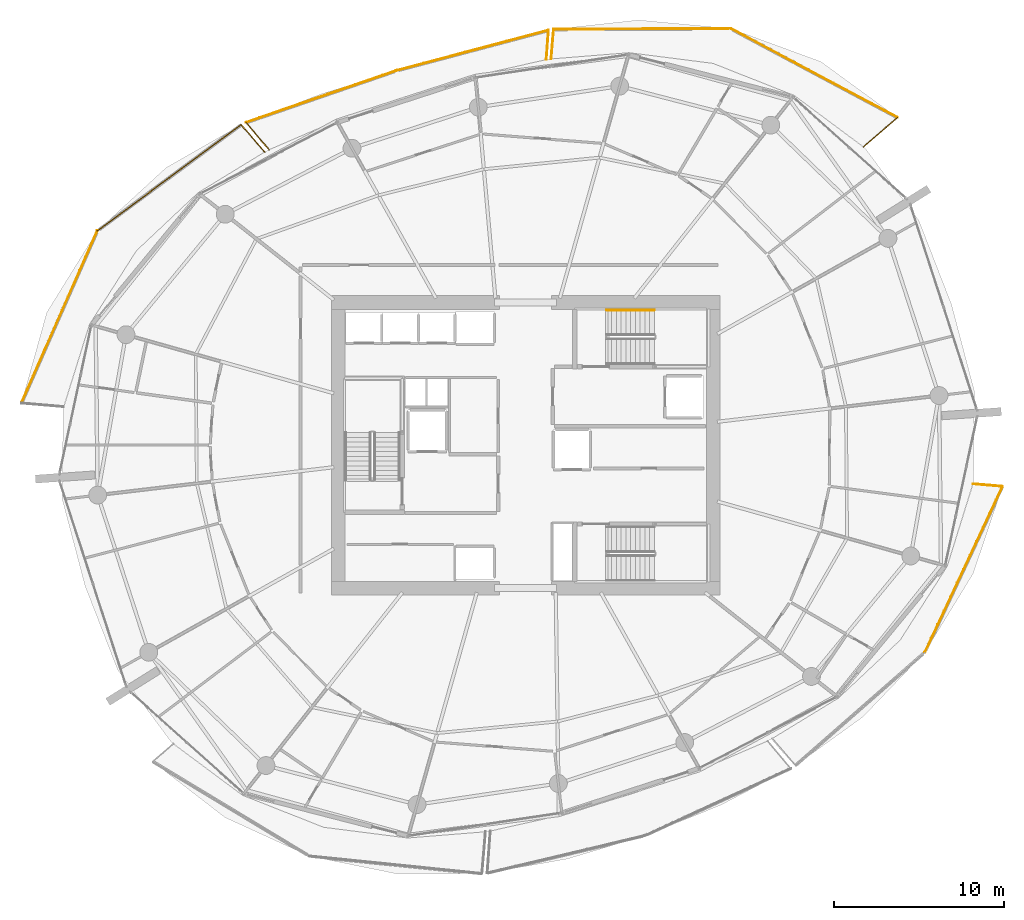
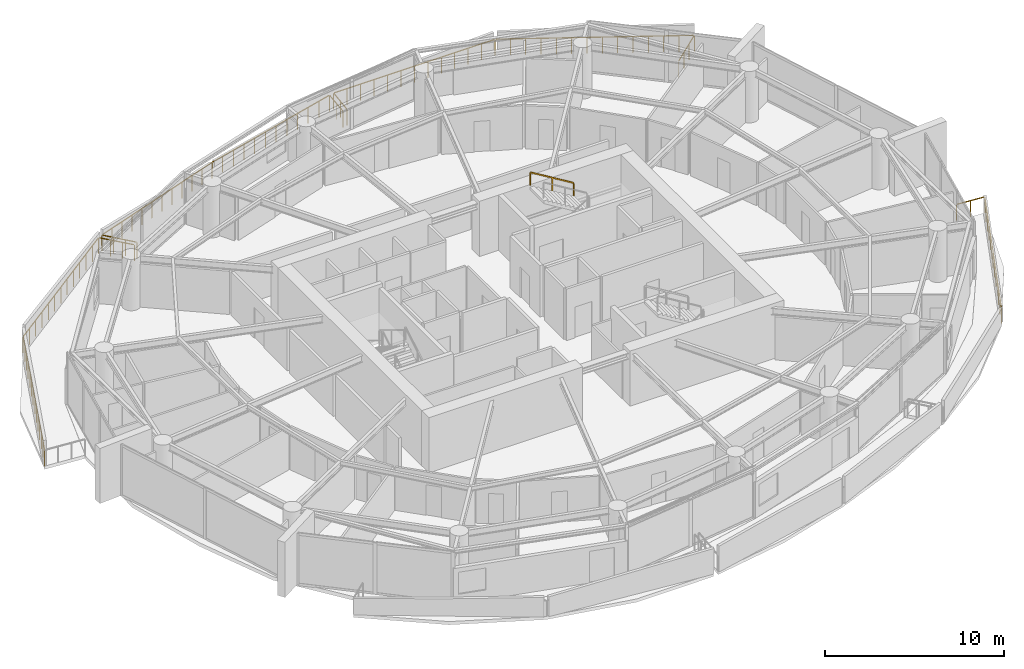
# One storey, part 20 of 20: 14 railings.
"""IFC4 building model written with IfcOpenShell, lengths in metres."""

from ifc_helpers import new_model, si_unit, direction, frame, origin, origin_2d, place, context, subcontext, project, spatial, rectangle, extrude, material, type_object, element, save


model = new_model("IFC4")

# Units and contexts
model_context = context("Model", 3, precision=1e-05, world=origin(), true_north=direction((0.0, 1.0)))
body_context = subcontext(model_context, "Body", "Model", "MODEL_VIEW")
ifc_project = project(units=[si_unit("LENGTHUNIT", "METRE"), si_unit("AREAUNIT", "SQUARE_METRE"), si_unit("VOLUMEUNIT", "CUBIC_METRE"), si_unit("PLANEANGLEUNIT", "RADIAN"), si_unit("MASSUNIT", "GRAM", prefix="KILO")], contexts=[model_context])

# Site, building, storey
site_placement = place(None, origin())
site = spatial("IfcSite", under=ifc_project, at=site_placement, CompositionType="ELEMENT")
building_placement = place(site_placement, origin())
building = spatial("IfcBuilding", under=site, at=building_placement, Name="Kazma Halo Residences", CompositionType="ELEMENT")
storey_placement = place(building_placement, frame((0.0, 0.0, 139.050048828125)))
storey = spatial("IfcBuildingStorey", under=building, at=storey_placement, Name="L34", CompositionType="ELEMENT", Elevation=139.050048828125)

# Railings
ifc_material_1 = material(Name="Aluminium AW-6063 T6 Brushed Cap Rail", Category="aluminium")
railing_type_1 = type_object("IfcRailingType", Name="RLG-BAL-CAP-1120", PredefinedType="BALUSTRADE", material=ifc_material_1)
railing_1_placement = place(storey_placement, frame((68.294677734375, 59.548583984375, 0.0)))
element("IfcRailing", 1, at=railing_1_placement, inside=storey, type_object=railing_type_1, Name="L34 NE wave balcony guard 1", PredefinedType="BALUSTRADE", context=body_context, shape_type="SweptSolid", body=[
    extrude(rectangle(XDim=0.050048828125, YDim=0.050048828125, at=origin_2d()), frame((0.0322265625, 0.02783203125, 1.09521484375), z_axis=(0.756387923345, 0.654123313618, 0.0), x_axis=(-0.654123313618, 0.756387923345, 0.0)), (0.0, 0.0, 1.0), 2.552978515625),
    extrude(rectangle(XDim=0.0400390625, YDim=0.0400390625, at=origin_2d()), origin(), (0.0, 0.0, 1.0), 1.05810546875),
    extrude(rectangle(XDim=0.0400390625, YDim=0.0400390625, at=origin_2d()), frame((0.6650390625, 0.5751953125, 0.0)), (0.0, 0.0, 1.0), 1.05810546875),
    extrude(rectangle(XDim=0.0400390625, YDim=0.0400390625, at=origin_2d()), frame((1.330322265625, 1.150390625, 0.0)), (0.0, 0.0, 1.0), 1.05810546875),
    extrude(rectangle(XDim=0.0400390625, YDim=0.0400390625, at=origin_2d()), frame((1.995361328125, 1.7255859375, 0.0)), (0.0, 0.0, 1.0), 1.05810546875),
])
railing_2_placement = place(storey_placement, frame((70.2900390625, 61.274169921875, 0.0)))
element("IfcRailing", 2, at=railing_2_placement, inside=storey, type_object=railing_type_1, Name="L34 NE wave balcony guard 2", PredefinedType="BALUSTRADE", context=body_context, shape_type="SweptSolid", body=[
    extrude(rectangle(XDim=0.050048828125, YDim=0.050048828125, at=origin_2d()), frame((-0.03759765625, 0.02001953125, 1.09521484375), z_axis=(-0.882331654064, 0.470628146457, 0.0), x_axis=(-0.470628146457, -0.882331654064, 0.0)), (0.0, 0.0, 1.0), 11.027099609375),
    extrude(rectangle(XDim=0.0400390625, YDim=0.0400390625, at=origin_2d()), origin(), (0.0, 0.0, 1.0), 1.05810546875),
    extrude(rectangle(XDim=0.0400390625, YDim=0.0400390625, at=origin_2d()), frame((-0.754150390625, 0.40234375, 0.0)), (0.0, 0.0, 1.0), 1.05810546875),
    extrude(rectangle(XDim=0.0400390625, YDim=0.0400390625, at=origin_2d()), frame((-1.50830078125, 0.8046875, 0.0)), (0.0, 0.0, 1.0), 1.05810546875),
    extrude(rectangle(XDim=0.0400390625, YDim=0.0400390625, at=origin_2d()), frame((-2.2626953125, 1.206787109375, 0.0)), (0.0, 0.0, 1.0), 1.05810546875),
    extrude(rectangle(XDim=0.0400390625, YDim=0.0400390625, at=origin_2d()), frame((-3.016845703125, 1.609130859375, 0.0)), (0.0, 0.0, 1.0), 1.05810546875),
    extrude(rectangle(XDim=0.0400390625, YDim=0.0400390625, at=origin_2d()), frame((-3.77099609375, 2.011474609375, 0.0)), (0.0, 0.0, 1.0), 1.05810546875),
    extrude(rectangle(XDim=0.0400390625, YDim=0.0400390625, at=origin_2d()), frame((-4.525146484375, 2.413818359375, 0.0)), (0.0, 0.0, 1.0), 1.05810546875),
    extrude(rectangle(XDim=0.0400390625, YDim=0.0400390625, at=origin_2d()), frame((-5.279541015625, 2.81591796875, 0.0)), (0.0, 0.0, 1.0), 1.05810546875),
    extrude(rectangle(XDim=0.0400390625, YDim=0.0400390625, at=origin_2d()), frame((-6.03369140625, 3.21826171875, 0.0)), (0.0, 0.0, 1.0), 1.05810546875),
    extrude(rectangle(XDim=0.0400390625, YDim=0.0400390625, at=origin_2d()), frame((-6.787841796875, 3.62060546875, 0.0)), (0.0, 0.0, 1.0), 1.05810546875),
    extrude(rectangle(XDim=0.0400390625, YDim=0.0400390625, at=origin_2d()), frame((-7.5419921875, 4.02294921875, 0.0)), (0.0, 0.0, 1.0), 1.05810546875),
    extrude(rectangle(XDim=0.0400390625, YDim=0.0400390625, at=origin_2d()), frame((-8.29638671875, 4.425048828125, 0.0)), (0.0, 0.0, 1.0), 1.05810546875),
    extrude(rectangle(XDim=0.0400390625, YDim=0.0400390625, at=origin_2d()), frame((-9.050537109375, 4.827392578125, 0.0)), (0.0, 0.0, 1.0), 1.05810546875),
    extrude(rectangle(XDim=0.0400390625, YDim=0.0400390625, at=origin_2d()), frame((-9.8046875, 5.229736328125, 0.0)), (0.0, 0.0, 1.0), 1.05810546875),
])
railing_3_placement = place(storey_placement, frame((60.4853515625, 66.50390625, 0.0)))
element("IfcRailing", 3, at=railing_3_placement, inside=storey, type_object=railing_type_1, Name="L34 NE wave balcony guard 3", PredefinedType="BALUSTRADE", context=body_context, shape_type="SweptSolid", body=[
    extrude(rectangle(XDim=0.050048828125, YDim=0.050048828125, at=origin_2d()), frame((-0.04248046875, -0.000244140625, 1.09521484375), z_axis=(-0.999991958014, -0.004010474807, 0.0), x_axis=(0.004010474807, -0.999991958014, 0.0)), (0.0, 0.0, 1.0), 10.32470703125),
    extrude(rectangle(XDim=0.0400390625, YDim=0.0400390625, at=origin_2d()), origin(), (0.0, 0.0, 1.0), 1.05810546875),
    extrude(rectangle(XDim=0.0400390625, YDim=0.0400390625, at=origin_2d()), frame((-0.867431640625, -0.00341796875, 0.0)), (0.0, 0.0, 1.0), 1.05810546875),
    extrude(rectangle(XDim=0.0400390625, YDim=0.0400390625, at=origin_2d()), frame((-1.73486328125, -0.0068359375, 0.0)), (0.0, 0.0, 1.0), 1.05810546875),
    extrude(rectangle(XDim=0.0400390625, YDim=0.0400390625, at=origin_2d()), frame((-2.6025390625, -0.010498046875, 0.0)), (0.0, 0.0, 1.0), 1.05810546875),
    extrude(rectangle(XDim=0.0400390625, YDim=0.0400390625, at=origin_2d()), frame((-3.469970703125, -0.013916015625, 0.0)), (0.0, 0.0, 1.0), 1.05810546875),
    extrude(rectangle(XDim=0.0400390625, YDim=0.0400390625, at=origin_2d()), frame((-4.33740234375, -0.017333984375, 0.0)), (0.0, 0.0, 1.0), 1.05810546875),
    extrude(rectangle(XDim=0.0400390625, YDim=0.0400390625, at=origin_2d()), frame((-5.204833984375, -0.02099609375, 0.0)), (0.0, 0.0, 1.0), 1.05810546875),
    extrude(rectangle(XDim=0.0400390625, YDim=0.0400390625, at=origin_2d()), frame((-6.072265625, -0.0244140625, 0.0)), (0.0, 0.0, 1.0), 1.05810546875),
    extrude(rectangle(XDim=0.0400390625, YDim=0.0400390625, at=origin_2d()), frame((-6.939697265625, -0.02783203125, 0.0)), (0.0, 0.0, 1.0), 1.05810546875),
    extrude(rectangle(XDim=0.0400390625, YDim=0.0400390625, at=origin_2d()), frame((-7.80712890625, -0.03125, 0.0)), (0.0, 0.0, 1.0), 1.05810546875),
    extrude(rectangle(XDim=0.0400390625, YDim=0.0400390625, at=origin_2d()), frame((-8.6748046875, -0.03466796875, 0.0)), (0.0, 0.0, 1.0), 1.05810546875),
    extrude(rectangle(XDim=0.0400390625, YDim=0.0400390625, at=origin_2d()), frame((-9.542236328125, -0.038330078125, 0.0)), (0.0, 0.0, 1.0), 1.05810546875),
    extrude(rectangle(XDim=0.0400390625, YDim=0.0400390625, at=origin_2d()), frame((-10.40966796875, -0.041748046875, 0.0)), (0.0, 0.0, 1.0), 1.05810546875),
])
railing_4_placement = place(storey_placement, frame((50.07568359375, 66.462158203125, 0.0)))
element("IfcRailing", 4, at=railing_4_placement, inside=storey, type_object=railing_type_1, Name="L34 NE wave balcony guard 4", PredefinedType="BALUSTRADE", context=body_context, shape_type="SweptSolid", body=[
    extrude(rectangle(XDim=0.050048828125, YDim=0.050048828125, at=origin_2d()), frame((-0.003662109375, -0.04248046875, 1.09521484375), z_axis=(-0.084501837771, -0.996423323399, 0.0), x_axis=(0.996423323399, -0.084501837771, 0.0)), (0.0, 0.0, 1.0), 1.662841796875),
    extrude(rectangle(XDim=0.0400390625, YDim=0.0400390625, at=origin_2d()), origin(), (0.0, 0.0, 1.0), 1.05810546875),
    extrude(rectangle(XDim=0.0400390625, YDim=0.0400390625, at=origin_2d()), frame((-0.07373046875, -0.870849609375, 0.0)), (0.0, 0.0, 1.0), 1.05810546875),
    extrude(rectangle(XDim=0.0400390625, YDim=0.0400390625, at=origin_2d()), frame((-0.147705078125, -1.74169921875, 0.0)), (0.0, 0.0, 1.0), 1.05810546875),
])
railing_5_placement = place(storey_placement, frame((49.6455078125, 64.67822265625, 0.0)))
element("IfcRailing", 5, at=railing_5_placement, inside=storey, type_object=railing_type_1, Name="L34 NNW wave balcony guard 1", PredefinedType="BALUSTRADE", context=body_context, shape_type="SweptSolid", body=[
    extrude(rectangle(XDim=0.050048828125, YDim=0.050048828125, at=origin_2d()), frame((0.003173828125, 0.04248046875, 1.09521484375), z_axis=(0.072390221582, 0.997376386235, 0.0), x_axis=(-0.997376386235, 0.072390221582, 0.0)), (0.0, 0.0, 1.0), 1.64501953125),
    extrude(rectangle(XDim=0.0400390625, YDim=0.0400390625, at=origin_2d()), origin(), (0.0, 0.0, 1.0), 1.05810546875),
    extrude(rectangle(XDim=0.0400390625, YDim=0.0400390625, at=origin_2d()), frame((0.0625, 0.86279296875, 0.0)), (0.0, 0.0, 1.0), 1.05810546875),
    extrude(rectangle(XDim=0.0400390625, YDim=0.0400390625, at=origin_2d()), frame((0.125244140625, 1.7255859375, 0.0)), (0.0, 0.0, 1.0), 1.05810546875),
])
railing_6_placement = place(storey_placement, frame((49.770751953125, 66.40380859375, 0.0)))
element("IfcRailing", 6, at=railing_6_placement, inside=storey, type_object=railing_type_1, Name="L34 NNW wave balcony guard 2", PredefinedType="BALUSTRADE", context=body_context, shape_type="SweptSolid", body=[
    extrude(rectangle(XDim=0.050048828125, YDim=0.050048828125, at=origin_2d()), frame((-0.041015625, -0.010986328125, 1.09521484375), z_axis=(-0.966521178341, -0.25658685044, 0.0), x_axis=(0.25658685044, -0.966521178341, 0.0)), (0.0, 0.0, 1.0), 9.15380859375),
    extrude(rectangle(XDim=0.0400390625, YDim=0.0400390625, at=origin_2d()), origin(), (0.0, 0.0, 1.0), 1.05810546875),
    extrude(rectangle(XDim=0.0400390625, YDim=0.0400390625, at=origin_2d()), frame((-0.811767578125, -0.215576171875, 0.0)), (0.0, 0.0, 1.0), 1.05810546875),
    extrude(rectangle(XDim=0.0400390625, YDim=0.0400390625, at=origin_2d()), frame((-1.62353515625, -0.430908203125, 0.0)), (0.0, 0.0, 1.0), 1.05810546875),
    extrude(rectangle(XDim=0.0400390625, YDim=0.0400390625, at=origin_2d()), frame((-2.435302734375, -0.646484375, 0.0)), (0.0, 0.0, 1.0), 1.05810546875),
    extrude(rectangle(XDim=0.0400390625, YDim=0.0400390625, at=origin_2d()), frame((-3.2470703125, -0.862060546875, 0.0)), (0.0, 0.0, 1.0), 1.05810546875),
    extrude(rectangle(XDim=0.0400390625, YDim=0.0400390625, at=origin_2d()), frame((-4.058837890625, -1.07763671875, 0.0)), (0.0, 0.0, 1.0), 1.05810546875),
    extrude(rectangle(XDim=0.0400390625, YDim=0.0400390625, at=origin_2d()), frame((-4.870849609375, -1.29296875, 0.0)), (0.0, 0.0, 1.0), 1.05810546875),
    extrude(rectangle(XDim=0.0400390625, YDim=0.0400390625, at=origin_2d()), frame((-5.6826171875, -1.508544921875, 0.0)), (0.0, 0.0, 1.0), 1.05810546875),
    extrude(rectangle(XDim=0.0400390625, YDim=0.0400390625, at=origin_2d()), frame((-6.494384765625, -1.72412109375, 0.0)), (0.0, 0.0, 1.0), 1.05810546875),
    extrude(rectangle(XDim=0.0400390625, YDim=0.0400390625, at=origin_2d()), frame((-7.30615234375, -1.939697265625, 0.0)), (0.0, 0.0, 1.0), 1.05810546875),
    extrude(rectangle(XDim=0.0400390625, YDim=0.0400390625, at=origin_2d()), frame((-8.117919921875, -2.155029296875, 0.0)), (0.0, 0.0, 1.0), 1.05810546875),
    extrude(rectangle(XDim=0.0400390625, YDim=0.0400390625, at=origin_2d()), frame((-8.9296875, -2.37060546875, 0.0)), (0.0, 0.0, 1.0), 1.05810546875),
])
railing_7_placement = place(storey_placement, frame((40.841064453125, 64.033203125, 0.0)))
element("IfcRailing", 7, at=railing_7_placement, inside=storey, type_object=railing_type_1, Name="L34 NNW wave balcony guard 3", PredefinedType="BALUSTRADE", context=body_context, shape_type="SweptSolid", body=[
    extrude(rectangle(XDim=0.050048828125, YDim=0.050048828125, at=origin_2d()), frame((-0.040283203125, -0.013916015625, 1.09521484375), z_axis=(-0.945398191233, -0.325917566284, 0.0), x_axis=(0.325917566284, -0.945398191233, 0.0)), (0.0, 0.0, 1.0), 9.279296875),
    extrude(rectangle(XDim=0.0400390625, YDim=0.0400390625, at=origin_2d()), origin(), (0.0, 0.0, 1.0), 1.05810546875),
    extrude(rectangle(XDim=0.0400390625, YDim=0.0400390625, at=origin_2d()), frame((-0.804931640625, -0.27734375, 0.0)), (0.0, 0.0, 1.0), 1.05810546875),
    extrude(rectangle(XDim=0.0400390625, YDim=0.0400390625, at=origin_2d()), frame((-1.609619140625, -0.554931640625, 0.0)), (0.0, 0.0, 1.0), 1.05810546875),
    extrude(rectangle(XDim=0.0400390625, YDim=0.0400390625, at=origin_2d()), frame((-2.41455078125, -0.832275390625, 0.0)), (0.0, 0.0, 1.0), 1.05810546875),
    extrude(rectangle(XDim=0.0400390625, YDim=0.0400390625, at=origin_2d()), frame((-3.21923828125, -1.10986328125, 0.0)), (0.0, 0.0, 1.0), 1.05810546875),
    extrude(rectangle(XDim=0.0400390625, YDim=0.0400390625, at=origin_2d()), frame((-4.024169921875, -1.38720703125, 0.0)), (0.0, 0.0, 1.0), 1.05810546875),
    extrude(rectangle(XDim=0.0400390625, YDim=0.0400390625, at=origin_2d()), frame((-4.828857421875, -1.664794921875, 0.0)), (0.0, 0.0, 1.0), 1.05810546875),
    extrude(rectangle(XDim=0.0400390625, YDim=0.0400390625, at=origin_2d()), frame((-5.6337890625, -1.942138671875, 0.0)), (0.0, 0.0, 1.0), 1.05810546875),
    extrude(rectangle(XDim=0.0400390625, YDim=0.0400390625, at=origin_2d()), frame((-6.4384765625, -2.2197265625, 0.0)), (0.0, 0.0, 1.0), 1.05810546875),
    extrude(rectangle(XDim=0.0400390625, YDim=0.0400390625, at=origin_2d()), frame((-7.243408203125, -2.4970703125, 0.0)), (0.0, 0.0, 1.0), 1.05810546875),
    extrude(rectangle(XDim=0.0400390625, YDim=0.0400390625, at=origin_2d()), frame((-8.048095703125, -2.774658203125, 0.0)), (0.0, 0.0, 1.0), 1.05810546875),
    extrude(rectangle(XDim=0.0400390625, YDim=0.0400390625, at=origin_2d()), frame((-8.85302734375, -3.052001953125, 0.0)), (0.0, 0.0, 1.0), 1.05810546875),
])
railing_8_placement = place(storey_placement, frame((31.988037109375, 60.981201171875, 0.0)))
element("IfcRailing", 8, at=railing_8_placement, inside=storey, type_object=railing_type_1, Name="L34 NNW wave balcony guard 4", PredefinedType="BALUSTRADE", context=body_context, shape_type="SweptSolid", body=[
    extrude(rectangle(XDim=0.050048828125, YDim=0.050048828125, at=origin_2d()), frame((0.02734375, -0.032470703125, 1.09521484375), z_axis=(0.644792225972, -0.764357890864, 0.0), x_axis=(0.764357890864, 0.644792225972, 0.0)), (0.0, 0.0, 1.0), 2.010009765625),
    extrude(rectangle(XDim=0.0400390625, YDim=0.0400390625, at=origin_2d()), origin(), (0.0, 0.0, 1.0), 1.05810546875),
    extrude(rectangle(XDim=0.0400390625, YDim=0.0400390625, at=origin_2d()), frame((0.4501953125, -0.53369140625, 0.0)), (0.0, 0.0, 1.0), 1.05810546875),
    extrude(rectangle(XDim=0.0400390625, YDim=0.0400390625, at=origin_2d()), frame((0.900634765625, -1.067626953125, 0.0)), (0.0, 0.0, 1.0), 1.05810546875),
    extrude(rectangle(XDim=0.0400390625, YDim=0.0400390625, at=origin_2d()), frame((1.350830078125, -1.601318359375, 0.0)), (0.0, 0.0, 1.0), 1.05810546875),
])
railing_9_placement = place(storey_placement, frame((33.08544921875, 59.248046875, 0.0)))
element("IfcRailing", 9, at=railing_9_placement, inside=storey, type_object=railing_type_1, Name="L34 NW wave balcony guard 1", PredefinedType="BALUSTRADE", context=body_context, shape_type="SweptSolid", body=[
    extrude(rectangle(XDim=0.050048828125, YDim=0.050048828125, at=origin_2d()), frame((-0.02783203125, 0.0322265625, 1.09521484375), z_axis=(-0.654078865259, 0.756426359946, 0.0), x_axis=(-0.756426359946, -0.654078865259, 0.0)), (0.0, 0.0, 1.0), 2.033203125),
    extrude(rectangle(XDim=0.0400390625, YDim=0.0400390625, at=origin_2d()), origin(), (0.0, 0.0, 1.0), 1.05810546875),
    extrude(rectangle(XDim=0.0400390625, YDim=0.0400390625, at=origin_2d()), frame((-0.4619140625, 0.5341796875, 0.0)), (0.0, 0.0, 1.0), 1.05810546875),
    extrude(rectangle(XDim=0.0400390625, YDim=0.0400390625, at=origin_2d()), frame((-0.923583984375, 1.068115234375, 0.0)), (0.0, 0.0, 1.0), 1.05810546875),
    extrude(rectangle(XDim=0.0400390625, YDim=0.0400390625, at=origin_2d()), frame((-1.385498046875, 1.602294921875, 0.0)), (0.0, 0.0, 1.0), 1.05810546875),
])
railing_10_placement = place(storey_placement, frame((31.699951171875, 60.850341796875, 0.0)))
element("IfcRailing", 10, at=railing_10_placement, inside=storey, type_object=railing_type_1, Name="L34 NW wave balcony guard 2", PredefinedType="BALUSTRADE", context=body_context, shape_type="SweptSolid", body=[
    extrude(rectangle(XDim=0.050048828125, YDim=0.050048828125, at=origin_2d()), frame((-0.0341796875, -0.025146484375, 1.09521484375), z_axis=(-0.804729225788, -0.59364204127, 0.0), x_axis=(0.59364204127, -0.804729225788, 0.0)), (0.0, 0.0, 1.0), 10.42138671875),
    extrude(rectangle(XDim=0.0400390625, YDim=0.0400390625, at=origin_2d()), origin(), (0.0, 0.0, 1.0), 1.05810546875),
    extrude(rectangle(XDim=0.0400390625, YDim=0.0400390625, at=origin_2d()), frame((-0.70458984375, -0.519775390625, 0.0)), (0.0, 0.0, 1.0), 1.05810546875),
    extrude(rectangle(XDim=0.0400390625, YDim=0.0400390625, at=origin_2d()), frame((-1.4091796875, -1.03955078125, 0.0)), (0.0, 0.0, 1.0), 1.05810546875),
    extrude(rectangle(XDim=0.0400390625, YDim=0.0400390625, at=origin_2d()), frame((-2.11376953125, -1.559326171875, 0.0)), (0.0, 0.0, 1.0), 1.05810546875),
    extrude(rectangle(XDim=0.0400390625, YDim=0.0400390625, at=origin_2d()), frame((-2.818359375, -2.0791015625, 0.0)), (0.0, 0.0, 1.0), 1.05810546875),
    extrude(rectangle(XDim=0.0400390625, YDim=0.0400390625, at=origin_2d()), frame((-3.52294921875, -2.598876953125, 0.0)), (0.0, 0.0, 1.0), 1.05810546875),
    extrude(rectangle(XDim=0.0400390625, YDim=0.0400390625, at=origin_2d()), frame((-4.2275390625, -3.11865234375, 0.0)), (0.0, 0.0, 1.0), 1.05810546875),
    extrude(rectangle(XDim=0.0400390625, YDim=0.0400390625, at=origin_2d()), frame((-4.931884765625, -3.63818359375, 0.0)), (0.0, 0.0, 1.0), 1.05810546875),
    extrude(rectangle(XDim=0.0400390625, YDim=0.0400390625, at=origin_2d()), frame((-5.636474609375, -4.157958984375, 0.0)), (0.0, 0.0, 1.0), 1.05810546875),
    extrude(rectangle(XDim=0.0400390625, YDim=0.0400390625, at=origin_2d()), frame((-6.341064453125, -4.677734375, 0.0)), (0.0, 0.0, 1.0), 1.05810546875),
    extrude(rectangle(XDim=0.0400390625, YDim=0.0400390625, at=origin_2d()), frame((-7.045654296875, -5.197509765625, 0.0)), (0.0, 0.0, 1.0), 1.05810546875),
    extrude(rectangle(XDim=0.0400390625, YDim=0.0400390625, at=origin_2d()), frame((-7.750244140625, -5.71728515625, 0.0)), (0.0, 0.0, 1.0), 1.05810546875),
    extrude(rectangle(XDim=0.0400390625, YDim=0.0400390625, at=origin_2d()), frame((-8.454833984375, -6.237060546875, 0.0)), (0.0, 0.0, 1.0), 1.05810546875),
])
railing_11_placement = place(storey_placement, frame((23.2451171875, 54.61328125, 0.0)))
element("IfcRailing", 11, at=railing_11_placement, inside=storey, type_object=railing_type_1, Name="L34 NW wave balcony guard 3", PredefinedType="BALUSTRADE", context=body_context, shape_type="SweptSolid", body=[
    extrude(rectangle(XDim=0.050048828125, YDim=0.050048828125, at=origin_2d()), frame((-0.01708984375, -0.038818359375, 1.09521484375), z_axis=(-0.402971346583, -0.915212594883, 0.0), x_axis=(0.915212594883, -0.402971346583, 0.0)), (0.0, 0.0, 1.0), 10.988037109375),
    extrude(rectangle(XDim=0.0400390625, YDim=0.0400390625, at=origin_2d()), origin(), (0.0, 0.0, 1.0), 1.05810546875),
    extrude(rectangle(XDim=0.0400390625, YDim=0.0400390625, at=origin_2d()), frame((-0.34326171875, -0.779541015625, 0.0)), (0.0, 0.0, 1.0), 1.05810546875),
    extrude(rectangle(XDim=0.0400390625, YDim=0.0400390625, at=origin_2d()), frame((-0.6865234375, -1.55908203125, 0.0)), (0.0, 0.0, 1.0), 1.05810546875),
    extrude(rectangle(XDim=0.0400390625, YDim=0.0400390625, at=origin_2d()), frame((-1.02978515625, -2.338623046875, 0.0)), (0.0, 0.0, 1.0), 1.05810546875),
    extrude(rectangle(XDim=0.0400390625, YDim=0.0400390625, at=origin_2d()), frame((-1.373046875, -3.1181640625, 0.0)), (0.0, 0.0, 1.0), 1.05810546875),
    extrude(rectangle(XDim=0.0400390625, YDim=0.0400390625, at=origin_2d()), frame((-1.71630859375, -3.897705078125, 0.0)), (0.0, 0.0, 1.0), 1.05810546875),
    extrude(rectangle(XDim=0.0400390625, YDim=0.0400390625, at=origin_2d()), frame((-2.0595703125, -4.67724609375, 0.0)), (0.0, 0.0, 1.0), 1.05810546875),
    extrude(rectangle(XDim=0.0400390625, YDim=0.0400390625, at=origin_2d()), frame((-2.402587890625, -5.45703125, 0.0)), (0.0, 0.0, 1.0), 1.05810546875),
    extrude(rectangle(XDim=0.0400390625, YDim=0.0400390625, at=origin_2d()), frame((-2.745849609375, -6.236572265625, 0.0)), (0.0, 0.0, 1.0), 1.05810546875),
    extrude(rectangle(XDim=0.0400390625, YDim=0.0400390625, at=origin_2d()), frame((-3.089111328125, -7.01611328125, 0.0)), (0.0, 0.0, 1.0), 1.05810546875),
    extrude(rectangle(XDim=0.0400390625, YDim=0.0400390625, at=origin_2d()), frame((-3.432373046875, -7.795654296875, 0.0)), (0.0, 0.0, 1.0), 1.05810546875),
    extrude(rectangle(XDim=0.0400390625, YDim=0.0400390625, at=origin_2d()), frame((-3.775634765625, -8.5751953125, 0.0)), (0.0, 0.0, 1.0), 1.05810546875),
    extrude(rectangle(XDim=0.0400390625, YDim=0.0400390625, at=origin_2d()), frame((-4.118896484375, -9.354736328125, 0.0)), (0.0, 0.0, 1.0), 1.05810546875),
    extrude(rectangle(XDim=0.0400390625, YDim=0.0400390625, at=origin_2d()), frame((-4.462158203125, -10.13427734375, 0.0)), (0.0, 0.0, 1.0), 1.05810546875),
])
railing_12_placement = place(storey_placement, frame((71.898681640625, 29.822998046875, 0.0)))
element("IfcRailing", 12, at=railing_12_placement, inside=storey, type_object=railing_type_1, Name="L34 SE wave balcony guard 3", PredefinedType="BALUSTRADE", context=body_context, shape_type="SweptSolid", body=[
    extrude(rectangle(XDim=0.050048828125, YDim=0.050048828125, at=origin_2d()), frame((0.01806640625, 0.03857421875, 1.09521484375), z_axis=(0.424200586033, 0.905568254086, 0.0), x_axis=(-0.905568254086, 0.424200586033, 0.0)), (0.0, 0.0, 1.0), 10.694091796875),
    extrude(rectangle(XDim=0.0400390625, YDim=0.0400390625, at=origin_2d()), origin(), (0.0, 0.0, 1.0), 1.05810546875),
    extrude(rectangle(XDim=0.0400390625, YDim=0.0400390625, at=origin_2d()), frame((0.381103515625, 0.8134765625, 0.0)), (0.0, 0.0, 1.0), 1.05810546875),
    extrude(rectangle(XDim=0.0400390625, YDim=0.0400390625, at=origin_2d()), frame((0.76220703125, 1.626953125, 0.0)), (0.0, 0.0, 1.0), 1.05810546875),
    extrude(rectangle(XDim=0.0400390625, YDim=0.0400390625, at=origin_2d()), frame((1.14306640625, 2.4404296875, 0.0)), (0.0, 0.0, 1.0), 1.05810546875),
    extrude(rectangle(XDim=0.0400390625, YDim=0.0400390625, at=origin_2d()), frame((1.524169921875, 3.253662109375, 0.0)), (0.0, 0.0, 1.0), 1.05810546875),
    extrude(rectangle(XDim=0.0400390625, YDim=0.0400390625, at=origin_2d()), frame((1.9052734375, 4.067138671875, 0.0)), (0.0, 0.0, 1.0), 1.05810546875),
    extrude(rectangle(XDim=0.0400390625, YDim=0.0400390625, at=origin_2d()), frame((2.2861328125, 4.880615234375, 0.0)), (0.0, 0.0, 1.0), 1.05810546875),
    extrude(rectangle(XDim=0.0400390625, YDim=0.0400390625, at=origin_2d()), frame((2.667236328125, 5.694091796875, 0.0)), (0.0, 0.0, 1.0), 1.05810546875),
    extrude(rectangle(XDim=0.0400390625, YDim=0.0400390625, at=origin_2d()), frame((3.04833984375, 6.507568359375, 0.0)), (0.0, 0.0, 1.0), 1.05810546875),
    extrude(rectangle(XDim=0.0400390625, YDim=0.0400390625, at=origin_2d()), frame((3.429443359375, 7.32080078125, 0.0)), (0.0, 0.0, 1.0), 1.05810546875),
    extrude(rectangle(XDim=0.0400390625, YDim=0.0400390625, at=origin_2d()), frame((3.810546875, 8.13427734375, 0.0)), (0.0, 0.0, 1.0), 1.05810546875),
    extrude(rectangle(XDim=0.0400390625, YDim=0.0400390625, at=origin_2d()), frame((4.19140625, 8.94775390625, 0.0)), (0.0, 0.0, 1.0), 1.05810546875),
    extrude(rectangle(XDim=0.0400390625, YDim=0.0400390625, at=origin_2d()), frame((4.572509765625, 9.76123046875, 0.0)), (0.0, 0.0, 1.0), 1.05810546875),
])
railing_13_placement = place(storey_placement, frame((76.47119140625, 39.584228515625, 0.0)))
element("IfcRailing", 13, at=railing_13_placement, inside=storey, type_object=railing_type_1, Name="L34 SE wave balcony guard 4", PredefinedType="BALUSTRADE", context=body_context, shape_type="SweptSolid", body=[
    extrude(rectangle(XDim=0.050048828125, YDim=0.050048828125, at=origin_2d()), frame((-0.04248046875, 0.003662109375, 1.09521484375), z_axis=(-0.996419115679, 0.084551439431, 0.0), x_axis=(-0.084551439431, -0.996419115679, 0.0)), (0.0, 0.0, 1.0), 1.658935546875),
    extrude(rectangle(XDim=0.0400390625, YDim=0.0400390625, at=origin_2d()), origin(), (0.0, 0.0, 1.0), 1.05810546875),
    extrude(rectangle(XDim=0.0400390625, YDim=0.0400390625, at=origin_2d()), frame((-0.868896484375, 0.07373046875, 0.0)), (0.0, 0.0, 1.0), 1.05810546875),
    extrude(rectangle(XDim=0.0400390625, YDim=0.0400390625, at=origin_2d()), frame((-1.73779296875, 0.1474609375, 0.0)), (0.0, 0.0, 1.0), 1.05810546875),
])
ifc_material_2 = material(Name="Brushed Stainless Steel", Category="steel")
railing_type_2 = type_object("IfcRailingType", Name="RLG-STAIR-HND-900", PredefinedType="HANDRAIL", material=ifc_material_2)
railing_14_placement = place(storey_placement, frame((56.0, 49.949951171875, 2.04541015625)))
element("IfcRailing", 14, at=railing_14_placement, inside=storey, type_object=railing_type_2, Name="L34 ST-02 stair handrail 2", PredefinedType="HANDRAIL", context=body_context, shape_type="SweptSolid", body=[
    extrude(rectangle(XDim=0.050048828125, YDim=0.050048828125, at=origin_2d()), frame((-0.036376953125, 0.0, 0.89697265625), z_axis=(-0.854169791009, 0.0, 0.51999420009), x_axis=(0.0, -1.0, 0.0)), (0.0, 0.0, 1.0), 3.193115234375),
    extrude(rectangle(XDim=0.0400390625, YDim=0.0400390625, at=origin_2d()), origin(), (0.0, 0.0, 1.0), 0.837890625),
    extrude(rectangle(XDim=0.0400390625, YDim=0.0400390625, at=origin_2d()), frame((-1.39990234375, 0.0, 0.852294921875)), (0.0, 0.0, 1.0), 0.837890625),
    extrude(rectangle(XDim=0.0400390625, YDim=0.0400390625, at=origin_2d()), frame((-2.800048828125, 0.0, 1.70458984375)), (0.0, 0.0, 1.0), 0.837890625),
])

save(model, "model.ifc")
